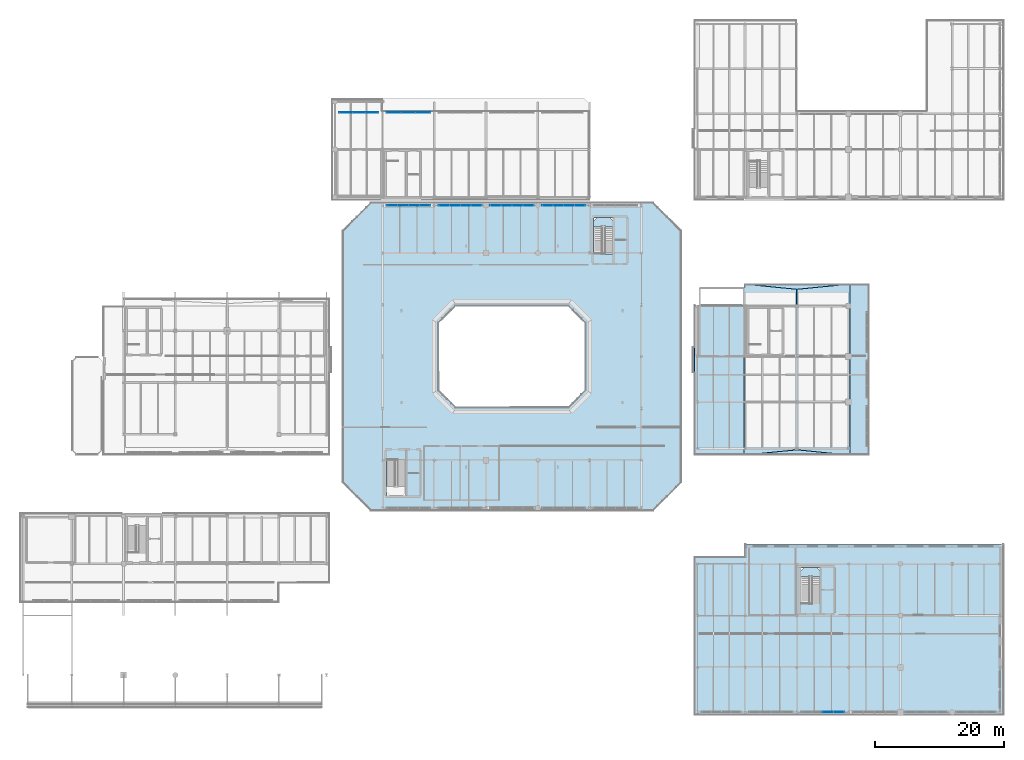
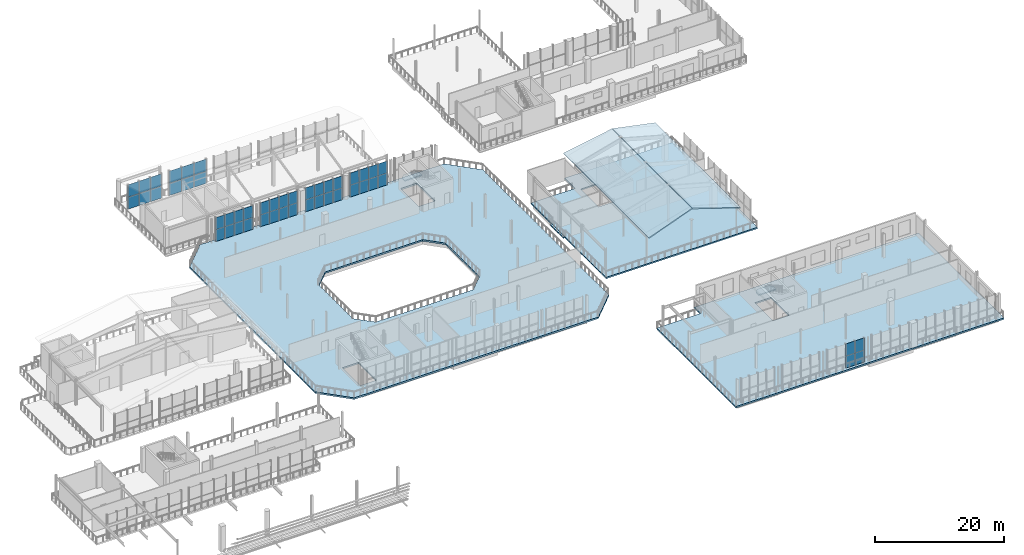
# One storey, part 44 of 70: 48 plates, 8 slabs, 9 elements without a shape of their own.
"""IFC4 building model written with IfcOpenShell, lengths in metres."""

from ifc_helpers import new_model, si_unit, direction, frame, origin, origin_2d, place, context, subcontext, project, spatial, polyline, rectangle, outline, extrude, material, layer, layer_set, type_object, element, aggregate, save


model = new_model("IFC4")

# Units and contexts
model_context = context("Model", 3, precision=1e-05, world=origin(), true_north=direction((0.0, 1.0)))
body_context = subcontext(model_context, "Body", "Model", "MODEL_VIEW")
ifc_project = project(units=[si_unit("LENGTHUNIT", "METRE"), si_unit("AREAUNIT", "SQUARE_METRE"), si_unit("VOLUMEUNIT", "CUBIC_METRE"), si_unit("PLANEANGLEUNIT", "RADIAN"), si_unit("MASSUNIT", "GRAM", prefix="KILO")], contexts=[model_context])

# Site, building, storey
site_placement = place(None, origin())
site = spatial("IfcSite", under=ifc_project, at=site_placement, CompositionType="ELEMENT")
building_placement = place(site_placement, origin())
building = spatial("IfcBuilding", under=site, at=building_placement, Name="Brisemont Oceanarium", CompositionType="ELEMENT")
storey_placement = place(building_placement, frame((0.0, 0.0, 10.199951171875)))
storey = spatial("IfcBuildingStorey", under=building, at=storey_placement, Name="L02", CompositionType="ELEMENT", Elevation=10.199951171875)

# Curtain wall, plates
ifc_material_1 = material(Name="Anodized Extruded Aluminum 6063-T6", Category="aluminium")
curtain_wall_type_1 = type_object("IfcCurtainWallType", Name="CW-CLR-48X34", PredefinedType="NOTDEFINED", material=ifc_material_1)
curtain_wall_1_placement = place(storey_placement, origin())
curtain_wall_1 = element("IfcCurtainWall", 1, at=curtain_wall_1_placement, inside=storey, type_object=curtain_wall_type_1, Name="CW-22 curtain wall CW-V7E-N-L02-01", PredefinedType="NOTDEFINED")
ifc_material_2 = material(Name="Ceramic-Fritted Spandrel Glass", Category="glass")
ifc_layer_1 = layer(ifc_material_2, 0.030029296875)
ifc_layer_set_1 = layer_set([ifc_layer_1], Name="Ceramic-Fritted Spandrel Glass")
plate_type_1 = type_object("IfcPlateType", Name="PLT-CWP-S4", PredefinedType="CURTAIN_PANEL", material=ifc_layer_set_1)
plate_1_placement = place(storey_placement, frame((58.308349609375, 93.699951171875, 0.00146484375), z_axis=(0.0, 0.0, 1.0), x_axis=(1.0, 0.0, 0.0)))
plate_1 = element("IfcPlate", 2, at=plate_1_placement, type_object=plate_type_1, Name="CW-V7E-N-L02-01 panel 1.1", PredefinedType="CURTAIN_PANEL", context=body_context, shape_type="SweptSolid", body=[
    extrude(rectangle(XDim=2.013671875, YDim=0.030029296875, at=origin_2d()), origin(), (0.0, 0.0, 1.0), 2.297119140625),
])
plate_2_placement = place(storey_placement, frame((58.308349609375, 93.699951171875, 2.30126953125), z_axis=(0.0, 0.0, 1.0), x_axis=(1.0, 0.0, 0.0)))
plate_2 = element("IfcPlate", 3, at=plate_2_placement, type_object=plate_type_1, Name="CW-V7E-N-L02-01 panel 1.2", PredefinedType="CURTAIN_PANEL", context=body_context, shape_type="SweptSolid", body=[
    extrude(rectangle(XDim=2.013671875, YDim=0.030029296875, at=origin_2d()), origin(), (0.0, 0.0, 1.0), 2.297119140625),
])
plate_3_placement = place(storey_placement, frame((60.324951171875, 93.699951171875, 0.00146484375), z_axis=(0.0, 0.0, 1.0), x_axis=(1.0, 0.0, 0.0)))
plate_3 = element("IfcPlate", 4, at=plate_3_placement, type_object=plate_type_1, Name="CW-V7E-N-L02-01 panel 2.1", PredefinedType="CURTAIN_PANEL", context=body_context, shape_type="SweptSolid", body=[
    extrude(rectangle(XDim=2.013671875, YDim=0.030029296875, at=origin_2d()), origin(), (0.0, 0.0, 1.0), 2.297119140625),
])
plate_4_placement = place(storey_placement, frame((60.324951171875, 93.699951171875, 2.30126953125), z_axis=(0.0, 0.0, 1.0), x_axis=(1.0, 0.0, 0.0)))
plate_4 = element("IfcPlate", 5, at=plate_4_placement, type_object=plate_type_1, Name="CW-V7E-N-L02-01 panel 2.2", PredefinedType="CURTAIN_PANEL", context=body_context, shape_type="SweptSolid", body=[
    extrude(rectangle(XDim=2.013671875, YDim=0.030029296875, at=origin_2d()), origin(), (0.0, 0.0, 1.0), 2.297119140625),
])
plate_5_placement = place(storey_placement, frame((62.341796875, 93.699951171875, 0.00146484375), z_axis=(0.0, 0.0, 1.0), x_axis=(1.0, 0.0, 0.0)))
plate_5 = element("IfcPlate", 6, at=plate_5_placement, type_object=plate_type_1, Name="CW-V7E-N-L02-01 panel 3.1", PredefinedType="CURTAIN_PANEL", context=body_context, shape_type="SweptSolid", body=[
    extrude(rectangle(XDim=2.013671875, YDim=0.030029296875, at=origin_2d()), origin(), (0.0, 0.0, 1.0), 2.297119140625),
])
plate_6_placement = place(storey_placement, frame((62.341796875, 93.699951171875, 2.30126953125), z_axis=(0.0, 0.0, 1.0), x_axis=(1.0, 0.0, 0.0)))
plate_6 = element("IfcPlate", 7, at=plate_6_placement, type_object=plate_type_1, Name="CW-V7E-N-L02-01 panel 3.2", PredefinedType="CURTAIN_PANEL", context=body_context, shape_type="SweptSolid", body=[
    extrude(rectangle(XDim=2.013671875, YDim=0.030029296875, at=origin_2d()), origin(), (0.0, 0.0, 1.0), 2.297119140625),
])
aggregate(curtain_wall_1, [plate_1, plate_2, plate_3, plate_4, plate_5, plate_6])

curtain_wall_2_placement = place(storey_placement, origin())
curtain_wall_2 = element("IfcCurtainWall", 8, at=curtain_wall_2_placement, inside=storey, type_object=curtain_wall_type_1, Name="CW-22 curtain wall CW-V7E-N-L02-02", PredefinedType="NOTDEFINED")
plate_7_placement = place(storey_placement, frame((65.7666015625, 93.699951171875, 0.00146484375), z_axis=(0.0, 0.0, 1.0), x_axis=(1.0, 0.0, 0.0)))
plate_7 = element("IfcPlate", 9, at=plate_7_placement, type_object=plate_type_1, Name="CW-V7E-N-L02-02 panel 1.1", PredefinedType="CURTAIN_PANEL", context=body_context, shape_type="SweptSolid", body=[
    extrude(rectangle(XDim=2.230224609375, YDim=0.030029296875, at=origin_2d()), origin(), (0.0, 0.0, 1.0), 2.297119140625),
])
plate_8_placement = place(storey_placement, frame((65.7666015625, 93.699951171875, 2.30126953125), z_axis=(0.0, 0.0, 1.0), x_axis=(1.0, 0.0, 0.0)))
plate_8 = element("IfcPlate", 10, at=plate_8_placement, type_object=plate_type_1, Name="CW-V7E-N-L02-02 panel 1.2", PredefinedType="CURTAIN_PANEL", context=body_context, shape_type="SweptSolid", body=[
    extrude(rectangle(XDim=2.230224609375, YDim=0.030029296875, at=origin_2d()), origin(), (0.0, 0.0, 1.0), 2.297119140625),
])
plate_9_placement = place(storey_placement, frame((68.0, 93.699951171875, 0.00146484375), z_axis=(0.0, 0.0, 1.0), x_axis=(1.0, 0.0, 0.0)))
plate_9 = element("IfcPlate", 11, at=plate_9_placement, type_object=plate_type_1, Name="CW-V7E-N-L02-02 panel 2.1", PredefinedType="CURTAIN_PANEL", context=body_context, shape_type="SweptSolid", body=[
    extrude(rectangle(XDim=2.230224609375, YDim=0.030029296875, at=origin_2d()), origin(), (0.0, 0.0, 1.0), 2.297119140625),
])
plate_10_placement = place(storey_placement, frame((68.0, 93.699951171875, 2.30126953125), z_axis=(0.0, 0.0, 1.0), x_axis=(1.0, 0.0, 0.0)))
plate_10 = element("IfcPlate", 12, at=plate_10_placement, type_object=plate_type_1, Name="CW-V7E-N-L02-02 panel 2.2", PredefinedType="CURTAIN_PANEL", context=body_context, shape_type="SweptSolid", body=[
    extrude(rectangle(XDim=2.230224609375, YDim=0.030029296875, at=origin_2d()), origin(), (0.0, 0.0, 1.0), 2.297119140625),
])
plate_11_placement = place(storey_placement, frame((70.2333984375, 93.699951171875, 0.00146484375), z_axis=(0.0, 0.0, 1.0), x_axis=(1.0, 0.0, 0.0)))
plate_11 = element("IfcPlate", 13, at=plate_11_placement, type_object=plate_type_1, Name="CW-V7E-N-L02-02 panel 3.1", PredefinedType="CURTAIN_PANEL", context=body_context, shape_type="SweptSolid", body=[
    extrude(rectangle(XDim=2.230224609375, YDim=0.030029296875, at=origin_2d()), origin(), (0.0, 0.0, 1.0), 2.297119140625),
])
plate_12_placement = place(storey_placement, frame((70.2333984375, 93.699951171875, 2.30126953125), z_axis=(0.0, 0.0, 1.0), x_axis=(1.0, 0.0, 0.0)))
plate_12 = element("IfcPlate", 14, at=plate_12_placement, type_object=plate_type_1, Name="CW-V7E-N-L02-02 panel 3.2", PredefinedType="CURTAIN_PANEL", context=body_context, shape_type="SweptSolid", body=[
    extrude(rectangle(XDim=2.230224609375, YDim=0.030029296875, at=origin_2d()), origin(), (0.0, 0.0, 1.0), 2.297119140625),
])
aggregate(curtain_wall_2, [plate_7, plate_8, plate_9, plate_10, plate_11, plate_12])

ifc_material_3 = material(Name="Anodized Extruded Aluminum 6063-T6", Category="aluminium")
curtain_wall_type_2 = type_object("IfcCurtainWallType", Name="CW-POR-69X44", PredefinedType="NOTDEFINED", material=ifc_material_3)
curtain_wall_3_placement = place(storey_placement, origin())
curtain_wall_3 = element("IfcCurtainWall", 15, at=curtain_wall_3_placement, inside=storey, type_object=curtain_wall_type_2, Name="CW-20 curtain wall CW-V1-N-L02-01", PredefinedType="NOTDEFINED")
ifc_material_4 = material(Name="Insulated Low-E Laminated Glass", Category="glass")
ifc_layer_2 = layer(ifc_material_4, 0.028076171875)
ifc_layer_set_2 = layer_set([ifc_layer_2], Name="Insulated Low-E Laminated Glass")
plate_type_2 = type_object("IfcPlateType", Name="PLT-CWP-V6", PredefinedType="CURTAIN_PANEL", material=ifc_layer_set_2)
plate_13_placement = place(storey_placement, frame((65.487548828125, 79.35009765625, 0.00146484375), z_axis=(0.0, 0.0, 1.0), x_axis=(1.0, 0.0, 0.0)))
plate_13 = element("IfcPlate", 16, at=plate_13_placement, type_object=plate_type_2, Name="CW-V1-N-L02-01 panel 1.1", PredefinedType="CURTAIN_PANEL", context=body_context, shape_type="SweptSolid", body=[
    extrude(rectangle(XDim=1.672119140625, YDim=0.028076171875, at=origin_2d()), origin(), (0.0, 0.0, 1.0), 2.257080078125),
])
plate_14_placement = place(storey_placement, frame((65.487548828125, 79.35009765625, 2.26171875), z_axis=(0.0, 0.0, 1.0), x_axis=(1.0, 0.0, 0.0)))
plate_14 = element("IfcPlate", 17, at=plate_14_placement, type_object=plate_type_2, Name="CW-V1-N-L02-01 panel 1.2", PredefinedType="CURTAIN_PANEL", context=body_context, shape_type="SweptSolid", body=[
    extrude(rectangle(XDim=1.672119140625, YDim=0.028076171875, at=origin_2d()), origin(), (0.0, 0.0, 1.0), 2.257080078125),
])
plate_15_placement = place(storey_placement, frame((67.16259765625, 79.35009765625, 0.00146484375), z_axis=(0.0, 0.0, 1.0), x_axis=(1.0, 0.0, 0.0)))
plate_15 = element("IfcPlate", 18, at=plate_15_placement, type_object=plate_type_2, Name="CW-V1-N-L02-01 panel 2.1", PredefinedType="CURTAIN_PANEL", context=body_context, shape_type="SweptSolid", body=[
    extrude(rectangle(XDim=1.672119140625, YDim=0.028076171875, at=origin_2d()), origin(), (0.0, 0.0, 1.0), 2.257080078125),
])
plate_16_placement = place(storey_placement, frame((67.16259765625, 79.35009765625, 2.26171875), z_axis=(0.0, 0.0, 1.0), x_axis=(1.0, 0.0, 0.0)))
plate_16 = element("IfcPlate", 19, at=plate_16_placement, type_object=plate_type_2, Name="CW-V1-N-L02-01 panel 2.2", PredefinedType="CURTAIN_PANEL", context=body_context, shape_type="SweptSolid", body=[
    extrude(rectangle(XDim=1.672119140625, YDim=0.028076171875, at=origin_2d()), origin(), (0.0, 0.0, 1.0), 2.257080078125),
])
plate_17_placement = place(storey_placement, frame((68.83740234375, 79.35009765625, 0.00146484375), z_axis=(0.0, 0.0, 1.0), x_axis=(1.0, 0.0, 0.0)))
plate_17 = element("IfcPlate", 20, at=plate_17_placement, type_object=plate_type_2, Name="CW-V1-N-L02-01 panel 3.1", PredefinedType="CURTAIN_PANEL", context=body_context, shape_type="SweptSolid", body=[
    extrude(rectangle(XDim=1.672119140625, YDim=0.028076171875, at=origin_2d()), origin(), (0.0, 0.0, 1.0), 2.257080078125),
])
plate_18_placement = place(storey_placement, frame((68.83740234375, 79.35009765625, 2.26171875), z_axis=(0.0, 0.0, 1.0), x_axis=(1.0, 0.0, 0.0)))
plate_18 = element("IfcPlate", 21, at=plate_18_placement, type_object=plate_type_2, Name="CW-V1-N-L02-01 panel 3.2", PredefinedType="CURTAIN_PANEL", context=body_context, shape_type="SweptSolid", body=[
    extrude(rectangle(XDim=1.672119140625, YDim=0.028076171875, at=origin_2d()), origin(), (0.0, 0.0, 1.0), 2.257080078125),
])
plate_19_placement = place(storey_placement, frame((70.512451171875, 79.35009765625, 0.00146484375), z_axis=(0.0, 0.0, 1.0), x_axis=(1.0, 0.0, 0.0)))
plate_19 = element("IfcPlate", 22, at=plate_19_placement, type_object=plate_type_2, Name="CW-V1-N-L02-01 panel 4.1", PredefinedType="CURTAIN_PANEL", context=body_context, shape_type="SweptSolid", body=[
    extrude(rectangle(XDim=1.672119140625, YDim=0.028076171875, at=origin_2d()), origin(), (0.0, 0.0, 1.0), 2.257080078125),
])
plate_20_placement = place(storey_placement, frame((70.512451171875, 79.35009765625, 2.26171875), z_axis=(0.0, 0.0, 1.0), x_axis=(1.0, 0.0, 0.0)))
plate_20 = element("IfcPlate", 23, at=plate_20_placement, type_object=plate_type_2, Name="CW-V1-N-L02-01 panel 4.2", PredefinedType="CURTAIN_PANEL", context=body_context, shape_type="SweptSolid", body=[
    extrude(rectangle(XDim=1.672119140625, YDim=0.028076171875, at=origin_2d()), origin(), (0.0, 0.0, 1.0), 2.257080078125),
])
aggregate(curtain_wall_3, [plate_13, plate_14, plate_15, plate_16, plate_17, plate_18, plate_19, plate_20])

curtain_wall_4_placement = place(storey_placement, origin())
curtain_wall_4 = element("IfcCurtainWall", 24, at=curtain_wall_4_placement, inside=storey, type_object=curtain_wall_type_2, Name="CW-20 curtain wall CW-V1-N-L02-02", PredefinedType="NOTDEFINED")
plate_21_placement = place(storey_placement, frame((73.487548828125, 79.35009765625, 0.00146484375), z_axis=(0.0, 0.0, 1.0), x_axis=(1.0, 0.0, 0.0)))
plate_21 = element("IfcPlate", 25, at=plate_21_placement, type_object=plate_type_2, Name="CW-V1-N-L02-02 panel 1.1", PredefinedType="CURTAIN_PANEL", context=body_context, shape_type="SweptSolid", body=[
    extrude(rectangle(XDim=1.672119140625, YDim=0.028076171875, at=origin_2d()), origin(), (0.0, 0.0, 1.0), 2.257080078125),
])
plate_22_placement = place(storey_placement, frame((73.487548828125, 79.35009765625, 2.26171875), z_axis=(0.0, 0.0, 1.0), x_axis=(1.0, 0.0, 0.0)))
plate_22 = element("IfcPlate", 26, at=plate_22_placement, type_object=plate_type_2, Name="CW-V1-N-L02-02 panel 1.2", PredefinedType="CURTAIN_PANEL", context=body_context, shape_type="SweptSolid", body=[
    extrude(rectangle(XDim=1.672119140625, YDim=0.028076171875, at=origin_2d()), origin(), (0.0, 0.0, 1.0), 2.257080078125),
])
plate_23_placement = place(storey_placement, frame((75.16259765625, 79.35009765625, 0.00146484375), z_axis=(0.0, 0.0, 1.0), x_axis=(1.0, 0.0, 0.0)))
plate_23 = element("IfcPlate", 27, at=plate_23_placement, type_object=plate_type_2, Name="CW-V1-N-L02-02 panel 2.1", PredefinedType="CURTAIN_PANEL", context=body_context, shape_type="SweptSolid", body=[
    extrude(rectangle(XDim=1.672119140625, YDim=0.028076171875, at=origin_2d()), origin(), (0.0, 0.0, 1.0), 2.257080078125),
])
plate_24_placement = place(storey_placement, frame((75.16259765625, 79.35009765625, 2.26171875), z_axis=(0.0, 0.0, 1.0), x_axis=(1.0, 0.0, 0.0)))
plate_24 = element("IfcPlate", 28, at=plate_24_placement, type_object=plate_type_2, Name="CW-V1-N-L02-02 panel 2.2", PredefinedType="CURTAIN_PANEL", context=body_context, shape_type="SweptSolid", body=[
    extrude(rectangle(XDim=1.672119140625, YDim=0.028076171875, at=origin_2d()), origin(), (0.0, 0.0, 1.0), 2.257080078125),
])
plate_25_placement = place(storey_placement, frame((76.83740234375, 79.35009765625, 0.00146484375), z_axis=(0.0, 0.0, 1.0), x_axis=(1.0, 0.0, 0.0)))
plate_25 = element("IfcPlate", 29, at=plate_25_placement, type_object=plate_type_2, Name="CW-V1-N-L02-02 panel 3.1", PredefinedType="CURTAIN_PANEL", context=body_context, shape_type="SweptSolid", body=[
    extrude(rectangle(XDim=1.672119140625, YDim=0.028076171875, at=origin_2d()), origin(), (0.0, 0.0, 1.0), 2.257080078125),
])
plate_26_placement = place(storey_placement, frame((76.83740234375, 79.35009765625, 2.26171875), z_axis=(0.0, 0.0, 1.0), x_axis=(1.0, 0.0, 0.0)))
plate_26 = element("IfcPlate", 30, at=plate_26_placement, type_object=plate_type_2, Name="CW-V1-N-L02-02 panel 3.2", PredefinedType="CURTAIN_PANEL", context=body_context, shape_type="SweptSolid", body=[
    extrude(rectangle(XDim=1.672119140625, YDim=0.028076171875, at=origin_2d()), origin(), (0.0, 0.0, 1.0), 2.257080078125),
])
plate_27_placement = place(storey_placement, frame((78.512451171875, 79.35009765625, 0.00146484375), z_axis=(0.0, 0.0, 1.0), x_axis=(1.0, 0.0, 0.0)))
plate_27 = element("IfcPlate", 31, at=plate_27_placement, type_object=plate_type_2, Name="CW-V1-N-L02-02 panel 4.1", PredefinedType="CURTAIN_PANEL", context=body_context, shape_type="SweptSolid", body=[
    extrude(rectangle(XDim=1.672119140625, YDim=0.028076171875, at=origin_2d()), origin(), (0.0, 0.0, 1.0), 2.257080078125),
])
plate_28_placement = place(storey_placement, frame((78.512451171875, 79.35009765625, 2.26171875), z_axis=(0.0, 0.0, 1.0), x_axis=(1.0, 0.0, 0.0)))
plate_28 = element("IfcPlate", 32, at=plate_28_placement, type_object=plate_type_2, Name="CW-V1-N-L02-02 panel 4.2", PredefinedType="CURTAIN_PANEL", context=body_context, shape_type="SweptSolid", body=[
    extrude(rectangle(XDim=1.672119140625, YDim=0.028076171875, at=origin_2d()), origin(), (0.0, 0.0, 1.0), 2.257080078125),
])
aggregate(curtain_wall_4, [plate_21, plate_22, plate_23, plate_24, plate_25, plate_26, plate_27, plate_28])

curtain_wall_5_placement = place(storey_placement, origin())
curtain_wall_5 = element("IfcCurtainWall", 33, at=curtain_wall_5_placement, inside=storey, type_object=curtain_wall_type_2, Name="CW-20 curtain wall CW-V1-N-L02-03", PredefinedType="NOTDEFINED")
plate_29_placement = place(storey_placement, frame((81.487548828125, 79.35009765625, 0.00146484375), z_axis=(0.0, 0.0, 1.0), x_axis=(1.0, 0.0, 0.0)))
plate_29 = element("IfcPlate", 34, at=plate_29_placement, type_object=plate_type_2, Name="CW-V1-N-L02-03 panel 1.1", PredefinedType="CURTAIN_PANEL", context=body_context, shape_type="SweptSolid", body=[
    extrude(rectangle(XDim=1.672119140625, YDim=0.028076171875, at=origin_2d()), origin(), (0.0, 0.0, 1.0), 2.257080078125),
])
plate_30_placement = place(storey_placement, frame((81.487548828125, 79.35009765625, 2.26171875), z_axis=(0.0, 0.0, 1.0), x_axis=(1.0, 0.0, 0.0)))
plate_30 = element("IfcPlate", 35, at=plate_30_placement, type_object=plate_type_2, Name="CW-V1-N-L02-03 panel 1.2", PredefinedType="CURTAIN_PANEL", context=body_context, shape_type="SweptSolid", body=[
    extrude(rectangle(XDim=1.672119140625, YDim=0.028076171875, at=origin_2d()), origin(), (0.0, 0.0, 1.0), 2.257080078125),
])
plate_31_placement = place(storey_placement, frame((83.16259765625, 79.35009765625, 0.00146484375), z_axis=(0.0, 0.0, 1.0), x_axis=(1.0, 0.0, 0.0)))
plate_31 = element("IfcPlate", 36, at=plate_31_placement, type_object=plate_type_2, Name="CW-V1-N-L02-03 panel 2.1", PredefinedType="CURTAIN_PANEL", context=body_context, shape_type="SweptSolid", body=[
    extrude(rectangle(XDim=1.672119140625, YDim=0.028076171875, at=origin_2d()), origin(), (0.0, 0.0, 1.0), 2.257080078125),
])
plate_32_placement = place(storey_placement, frame((83.16259765625, 79.35009765625, 2.26171875), z_axis=(0.0, 0.0, 1.0), x_axis=(1.0, 0.0, 0.0)))
plate_32 = element("IfcPlate", 37, at=plate_32_placement, type_object=plate_type_2, Name="CW-V1-N-L02-03 panel 2.2", PredefinedType="CURTAIN_PANEL", context=body_context, shape_type="SweptSolid", body=[
    extrude(rectangle(XDim=1.672119140625, YDim=0.028076171875, at=origin_2d()), origin(), (0.0, 0.0, 1.0), 2.257080078125),
])
plate_33_placement = place(storey_placement, frame((84.83740234375, 79.35009765625, 0.00146484375), z_axis=(0.0, 0.0, 1.0), x_axis=(1.0, 0.0, 0.0)))
plate_33 = element("IfcPlate", 38, at=plate_33_placement, type_object=plate_type_2, Name="CW-V1-N-L02-03 panel 3.1", PredefinedType="CURTAIN_PANEL", context=body_context, shape_type="SweptSolid", body=[
    extrude(rectangle(XDim=1.672119140625, YDim=0.028076171875, at=origin_2d()), origin(), (0.0, 0.0, 1.0), 2.257080078125),
])
plate_34_placement = place(storey_placement, frame((84.83740234375, 79.35009765625, 2.26171875), z_axis=(0.0, 0.0, 1.0), x_axis=(1.0, 0.0, 0.0)))
plate_34 = element("IfcPlate", 39, at=plate_34_placement, type_object=plate_type_2, Name="CW-V1-N-L02-03 panel 3.2", PredefinedType="CURTAIN_PANEL", context=body_context, shape_type="SweptSolid", body=[
    extrude(rectangle(XDim=1.672119140625, YDim=0.028076171875, at=origin_2d()), origin(), (0.0, 0.0, 1.0), 2.257080078125),
])
plate_35_placement = place(storey_placement, frame((86.512451171875, 79.35009765625, 0.00146484375), z_axis=(0.0, 0.0, 1.0), x_axis=(1.0, 0.0, 0.0)))
plate_35 = element("IfcPlate", 40, at=plate_35_placement, type_object=plate_type_2, Name="CW-V1-N-L02-03 panel 4.1", PredefinedType="CURTAIN_PANEL", context=body_context, shape_type="SweptSolid", body=[
    extrude(rectangle(XDim=1.672119140625, YDim=0.028076171875, at=origin_2d()), origin(), (0.0, 0.0, 1.0), 2.257080078125),
])
plate_36_placement = place(storey_placement, frame((86.512451171875, 79.35009765625, 2.26171875), z_axis=(0.0, 0.0, 1.0), x_axis=(1.0, 0.0, 0.0)))
plate_36 = element("IfcPlate", 41, at=plate_36_placement, type_object=plate_type_2, Name="CW-V1-N-L02-03 panel 4.2", PredefinedType="CURTAIN_PANEL", context=body_context, shape_type="SweptSolid", body=[
    extrude(rectangle(XDim=1.672119140625, YDim=0.028076171875, at=origin_2d()), origin(), (0.0, 0.0, 1.0), 2.257080078125),
])
aggregate(curtain_wall_5, [plate_29, plate_30, plate_31, plate_32, plate_33, plate_34, plate_35, plate_36])

curtain_wall_6_placement = place(storey_placement, origin())
curtain_wall_6 = element("IfcCurtainWall", 42, at=curtain_wall_6_placement, inside=storey, type_object=curtain_wall_type_2, Name="CW-20 curtain wall CW-V1-N-L02-04", PredefinedType="NOTDEFINED")
plate_37_placement = place(storey_placement, frame((89.487548828125, 79.35009765625, 0.00146484375), z_axis=(0.0, 0.0, 1.0), x_axis=(1.0, 0.0, 0.0)))
plate_37 = element("IfcPlate", 43, at=plate_37_placement, type_object=plate_type_2, Name="CW-V1-N-L02-04 panel 1.1", PredefinedType="CURTAIN_PANEL", context=body_context, shape_type="SweptSolid", body=[
    extrude(rectangle(XDim=1.672119140625, YDim=0.028076171875, at=origin_2d()), origin(), (0.0, 0.0, 1.0), 2.257080078125),
])
plate_38_placement = place(storey_placement, frame((89.487548828125, 79.35009765625, 2.26171875), z_axis=(0.0, 0.0, 1.0), x_axis=(1.0, 0.0, 0.0)))
plate_38 = element("IfcPlate", 44, at=plate_38_placement, type_object=plate_type_2, Name="CW-V1-N-L02-04 panel 1.2", PredefinedType="CURTAIN_PANEL", context=body_context, shape_type="SweptSolid", body=[
    extrude(rectangle(XDim=1.672119140625, YDim=0.028076171875, at=origin_2d()), origin(), (0.0, 0.0, 1.0), 2.257080078125),
])
plate_39_placement = place(storey_placement, frame((91.16259765625, 79.35009765625, 0.00146484375), z_axis=(0.0, 0.0, 1.0), x_axis=(1.0, 0.0, 0.0)))
plate_39 = element("IfcPlate", 45, at=plate_39_placement, type_object=plate_type_2, Name="CW-V1-N-L02-04 panel 2.1", PredefinedType="CURTAIN_PANEL", context=body_context, shape_type="SweptSolid", body=[
    extrude(rectangle(XDim=1.672119140625, YDim=0.028076171875, at=origin_2d()), origin(), (0.0, 0.0, 1.0), 2.257080078125),
])
plate_40_placement = place(storey_placement, frame((91.16259765625, 79.35009765625, 2.26171875), z_axis=(0.0, 0.0, 1.0), x_axis=(1.0, 0.0, 0.0)))
plate_40 = element("IfcPlate", 46, at=plate_40_placement, type_object=plate_type_2, Name="CW-V1-N-L02-04 panel 2.2", PredefinedType="CURTAIN_PANEL", context=body_context, shape_type="SweptSolid", body=[
    extrude(rectangle(XDim=1.672119140625, YDim=0.028076171875, at=origin_2d()), origin(), (0.0, 0.0, 1.0), 2.257080078125),
])
plate_41_placement = place(storey_placement, frame((92.83740234375, 79.35009765625, 0.00146484375), z_axis=(0.0, 0.0, 1.0), x_axis=(1.0, 0.0, 0.0)))
plate_41 = element("IfcPlate", 47, at=plate_41_placement, type_object=plate_type_2, Name="CW-V1-N-L02-04 panel 3.1", PredefinedType="CURTAIN_PANEL", context=body_context, shape_type="SweptSolid", body=[
    extrude(rectangle(XDim=1.672119140625, YDim=0.028076171875, at=origin_2d()), origin(), (0.0, 0.0, 1.0), 2.257080078125),
])
plate_42_placement = place(storey_placement, frame((92.83740234375, 79.35009765625, 2.26171875), z_axis=(0.0, 0.0, 1.0), x_axis=(1.0, 0.0, 0.0)))
plate_42 = element("IfcPlate", 48, at=plate_42_placement, type_object=plate_type_2, Name="CW-V1-N-L02-04 panel 3.2", PredefinedType="CURTAIN_PANEL", context=body_context, shape_type="SweptSolid", body=[
    extrude(rectangle(XDim=1.672119140625, YDim=0.028076171875, at=origin_2d()), origin(), (0.0, 0.0, 1.0), 2.257080078125),
])
plate_43_placement = place(storey_placement, frame((94.512451171875, 79.35009765625, 0.00146484375), z_axis=(0.0, 0.0, 1.0), x_axis=(1.0, 0.0, 0.0)))
plate_43 = element("IfcPlate", 49, at=plate_43_placement, type_object=plate_type_2, Name="CW-V1-N-L02-04 panel 4.1", PredefinedType="CURTAIN_PANEL", context=body_context, shape_type="SweptSolid", body=[
    extrude(rectangle(XDim=1.672119140625, YDim=0.028076171875, at=origin_2d()), origin(), (0.0, 0.0, 1.0), 2.257080078125),
])
plate_44_placement = place(storey_placement, frame((94.512451171875, 79.35009765625, 2.26171875), z_axis=(0.0, 0.0, 1.0), x_axis=(1.0, 0.0, 0.0)))
plate_44 = element("IfcPlate", 50, at=plate_44_placement, type_object=plate_type_2, Name="CW-V1-N-L02-04 panel 4.2", PredefinedType="CURTAIN_PANEL", context=body_context, shape_type="SweptSolid", body=[
    extrude(rectangle(XDim=1.672119140625, YDim=0.028076171875, at=origin_2d()), origin(), (0.0, 0.0, 1.0), 2.257080078125),
])
aggregate(curtain_wall_6, [plate_37, plate_38, plate_39, plate_40, plate_41, plate_42, plate_43, plate_44])

ifc_material_5 = material(Name="Anodized Extruded Aluminum 6063-T6", Category="aluminium")
curtain_wall_type_3 = type_object("IfcCurtainWallType", Name="CW-EDU-69X43", PredefinedType="NOTDEFINED", material=ifc_material_5)
curtain_wall_7_placement = place(storey_placement, origin())
curtain_wall_7 = element("IfcCurtainWall", 51, at=curtain_wall_7_placement, inside=storey, type_object=curtain_wall_type_3, Name="CW-09 curtain wall CW-V3-S-L02-03", PredefinedType="NOTDEFINED")
ifc_material_6 = material(Name="Insulated Low-E Laminated Glass", Category="glass")
ifc_layer_3 = layer(ifc_material_6, 0.02587890625)
ifc_layer_set_3 = layer_set([ifc_layer_3], Name="Insulated Low-E Laminated Glass")
plate_type_3 = type_object("IfcPlateType", Name="PLT-CWP-V9", PredefinedType="CURTAIN_PANEL", material=ifc_layer_set_3)
plate_45_placement = place(storey_placement, frame((132.83740234375, 1.10009765625, 0.00146484375), z_axis=(0.0, 0.0, 1.0), x_axis=(1.0, 0.0, 0.0)))
plate_45 = element("IfcPlate", 52, at=plate_45_placement, type_object=plate_type_3, Name="CW-V3-S-L02-03 panel 3.1", PredefinedType="CURTAIN_PANEL", context=body_context, shape_type="SweptSolid", body=[
    extrude(rectangle(XDim=1.672119140625, YDim=0.02587890625, at=origin_2d()), origin(), (0.0, 0.0, 1.0), 2.277099609375),
])
plate_46_placement = place(storey_placement, frame((132.83740234375, 1.10009765625, 2.28173828125), z_axis=(0.0, 0.0, 1.0), x_axis=(1.0, 0.0, 0.0)))
plate_46 = element("IfcPlate", 53, at=plate_46_placement, type_object=plate_type_3, Name="CW-V3-S-L02-03 panel 3.2", PredefinedType="CURTAIN_PANEL", context=body_context, shape_type="SweptSolid", body=[
    extrude(rectangle(XDim=1.672119140625, YDim=0.02587890625, at=origin_2d()), origin(), (0.0, 0.0, 1.0), 2.277099609375),
])
plate_47_placement = place(storey_placement, frame((134.512451171875, 1.10009765625, 0.00146484375), z_axis=(0.0, 0.0, 1.0), x_axis=(1.0, 0.0, 0.0)))
plate_47 = element("IfcPlate", 54, at=plate_47_placement, type_object=plate_type_3, Name="CW-V3-S-L02-03 panel 4.1", PredefinedType="CURTAIN_PANEL", context=body_context, shape_type="SweptSolid", body=[
    extrude(rectangle(XDim=1.672119140625, YDim=0.02587890625, at=origin_2d()), origin(), (0.0, 0.0, 1.0), 2.277099609375),
])
plate_48_placement = place(storey_placement, frame((134.512451171875, 1.10009765625, 2.28173828125), z_axis=(0.0, 0.0, 1.0), x_axis=(1.0, 0.0, 0.0)))
plate_48 = element("IfcPlate", 55, at=plate_48_placement, type_object=plate_type_3, Name="CW-V3-S-L02-03 panel 4.2", PredefinedType="CURTAIN_PANEL", context=body_context, shape_type="SweptSolid", body=[
    extrude(rectangle(XDim=1.672119140625, YDim=0.02587890625, at=origin_2d()), origin(), (0.0, 0.0, 1.0), 2.277099609375),
])
aggregate(curtain_wall_7, [plate_45, plate_46, plate_47, plate_48])

# Slabs
ifc_material_7 = material(Name="Concrete C35/45", Category="concrete")
ifc_layer_4 = layer(ifc_material_7, 0.239990234375)
ifc_layer_set_4 = layer_set([ifc_layer_4], Name="Concrete C35/45")
slab_type_1 = type_object("IfcSlabType", Name="SLB-FLR-240", PredefinedType="FLOOR", material=ifc_layer_set_4)
slab_1_placement = place(storey_placement, frame((0.0, 0.0, -0.239990234375)))
element("IfcSlab", 56, at=slab_1_placement, inside=storey, type_object=slab_type_1, Name="SB_SB-05 L02 floor slab", PredefinedType="FLOOR", context=body_context, shape_type="SweptSolid", body=[
    extrude(outline(polyline([(111.889892578125, 53.5), (112.110107421875, 53.5), (112.14990234375, 53.5400390625), (112.14990234375, 57.4599609375), (112.110107421875, 57.5), (111.889892578125, 57.5), (111.85009765625, 57.4599609375), (111.85009765625, 53.5400390625), (111.889892578125, 53.5)])), origin(), (0.0, 0.0, 1.0), 0.239990234375),
])
ifc_material_8 = material(Name="Concrete C35/45", Category="concrete")
ifc_layer_5 = layer(ifc_material_8, 0.260009765625)
ifc_layer_set_5 = layer_set([ifc_layer_5], Name="Concrete C35/45")
slab_type_2 = type_object("IfcSlabType", Name="SLB-FLR-260", PredefinedType="FLOOR", material=ifc_layer_set_5)
slab_2_placement = place(storey_placement, frame((0.0, 0.0, -0.260009765625)))
element("IfcSlab", 57, at=slab_2_placement, inside=storey, type_object=slab_type_2, Name="V5E L02 floor slab", PredefinedType="FLOOR", context=body_context, shape_type="SweptSolid", body=[
    extrude(outline(polyline([(112.14990234375, 40.800048828125), (139.199951171875, 40.800048828125), (139.199951171875, 67.199951171875), (120.0, 67.199951171875), (120.0, 64.0), (112.14990234375, 64.0), (112.14990234375, 40.800048828125)]), holes=[polyline([(120.669921875, 57.840087890625), (123.570068359375, 57.840087890625), (123.570068359375, 63.3798828125), (120.669921875, 63.3798828125), (120.669921875, 57.840087890625)])]), origin(), (0.0, 0.0, 1.0), 0.260009765625),
])
ifc_material_9 = material(Name="Concrete C35/45", Category="concrete")
ifc_layer_6 = layer(ifc_material_9, 0.280029296875)
ifc_layer_set_6 = layer_set([ifc_layer_6], Name="Concrete C35/45")
slab_type_3 = type_object("IfcSlabType", Name="SLB-FLR-280", PredefinedType="FLOOR", material=ifc_layer_set_6)
slab_3_placement = place(storey_placement, frame((0.0, 0.0, -0.280029296875)))
element("IfcSlab", 58, at=slab_3_placement, inside=storey, type_object=slab_type_3, Name="V3 L02 floor slab", PredefinedType="FLOOR", context=body_context, shape_type="SweptSolid", body=[
    extrude(outline(polyline([(112.14990234375, 0.60009765625), (160.0, 0.60009765625), (160.0, 27.050048828125), (120.0, 27.050048828125), (120.0, 25.10009765625), (112.14990234375, 25.10009765625), (112.14990234375, 0.60009765625)]), holes=[polyline([(128.669921875, 17.840087890625), (131.570068359375, 17.840087890625), (131.570068359375, 23.3798828125), (128.669921875, 23.3798828125), (128.669921875, 17.840087890625)])]), origin(), (0.0, 0.0, 1.0), 0.280029296875),
])
ifc_material_10 = material(Name="Concrete C35/45", Category="concrete")
ifc_layer_7 = layer(ifc_material_10, 0.300048828125)
ifc_layer_set_7 = layer_set([ifc_layer_7], Name="Concrete C35/45")
slab_type_4 = type_object("IfcSlabType", Name="SLB-FLR-300", PredefinedType="FLOOR", material=ifc_layer_set_7)
slab_4_placement = place(storey_placement, frame((0.0, 0.0, -0.300048828125)))
element("IfcSlab", 59, at=slab_4_placement, inside=storey, type_object=slab_type_4, Name="V1 L02 floor slab", PredefinedType="FLOOR", context=body_context, shape_type="SweptSolid", body=[
    extrude(outline(polyline([(62.199951171875, 32.14990234375), (105.800048828125, 32.14990234375), (110.199951171875, 36.550048828125), (110.199951171875, 75.449951171875), (105.800048828125, 79.85009765625), (62.199951171875, 79.85009765625), (57.800048828125, 75.449951171875), (57.800048828125, 36.550048828125), (62.199951171875, 32.14990234375)]), holes=[polyline([(75.300048828125, 48.199951171875), (92.699951171875, 48.199951171875), (95.300048828125, 50.800048828125), (95.300048828125, 61.199951171875), (92.699951171875, 63.800048828125), (75.300048828125, 63.800048828125), (72.699951171875, 61.199951171875), (72.699951171875, 50.800048828125), (75.300048828125, 48.199951171875)]), polyline([(64.669921875, 34.570068359375), (67.570068359375, 34.570068359375), (67.570068359375, 40.110107421875), (64.669921875, 40.110107421875), (64.669921875, 34.570068359375)]), polyline([(96.669921875, 71.889892578125), (99.570068359375, 71.889892578125), (99.570068359375, 77.429931640625), (96.669921875, 77.429931640625), (96.669921875, 71.889892578125)])]), origin(), (0.0, 0.0, 1.0), 0.300048828125),
])

# Stair, slab
ifc_material_11 = material(Name="Concrete C40/50", Category="concrete")
stair_type = type_object("IfcStairType", Name="STR-CORE-124-48", PredefinedType="HALF_TURN_STAIR", material=ifc_material_11)
stair_1_placement = place(storey_placement, origin())
stair_1 = element("IfcStair", 60, at=stair_1_placement, inside=storey, type_object=stair_type, Name="Exit stair ST-02 L02 to L03", PredefinedType="HALF_TURN_STAIR")
ifc_material_12 = material(Name="Concrete C40/50", Category="concrete")
ifc_layer_8 = layer(ifc_material_12, 0.219970703125)
ifc_layer_set_8 = layer_set([ifc_layer_8], Name="Concrete C40/50")
slab_type_5 = type_object("IfcSlabType", Name="SLB-LANDING-220", PredefinedType="LANDING", material=ifc_layer_set_8)
slab_5_placement = place(storey_placement, frame((0.0, 0.0, 2.179931640625)))
slab_5 = element("IfcSlab", 61, at=slab_5_placement, type_object=slab_type_5, Name="ST-02 L02 half-landing", PredefinedType="LANDING", context=body_context, shape_type="SweptSolid", body=[
    extrude(outline(polyline([(96.570068359375, 76.0400390625), (99.64990234375, 76.0400390625), (99.64990234375, 76.919921875), (99.10009765625, 77.469970703125), (97.1201171875, 77.469970703125), (96.570068359375, 76.919921875), (96.570068359375, 76.0400390625)])), origin(), (0.0, 0.0, 1.0), 0.22021484375),
])
aggregate(stair_1, [slab_5])

stair_2_placement = place(storey_placement, origin())
stair_2 = element("IfcStair", 62, at=stair_2_placement, inside=storey, type_object=stair_type, Name="Exit stair ST-04 L02 to L03", PredefinedType="HALF_TURN_STAIR")
slab_6_placement = place(storey_placement, frame((0.0, 0.0, 2.179931640625)))
slab_6 = element("IfcSlab", 63, at=slab_6_placement, type_object=slab_type_5, Name="ST-04 L02 half-landing", PredefinedType="LANDING", context=body_context, shape_type="SweptSolid", body=[
    extrude(outline(polyline([(128.570068359375, 21.989990234375), (131.64990234375, 21.989990234375), (131.64990234375, 22.8701171875), (131.10009765625, 23.419921875), (129.1201171875, 23.419921875), (128.570068359375, 22.8701171875), (128.570068359375, 21.989990234375)])), origin(), (0.0, 0.0, 1.0), 0.22021484375),
])
aggregate(stair_2, [slab_6])

# Slabs
ifc_material_13 = material(Name="Concrete C35/45", Category="concrete")
ifc_layer_9 = layer(ifc_material_13, 0.199951171875)
ifc_layer_set_9 = layer_set([ifc_layer_9], Name="Concrete C35/45")
slab_type_6 = type_object("IfcSlabType", Name="SLB-RF-200", PredefinedType="ROOF", material=ifc_layer_set_9)
slab_7_placement = place(storey_placement, frame((119.800048828125, 40.800048828125, 4.800048828125), z_axis=(-0.262516411158, 0.0, 0.964927527783), x_axis=(0.960637969055, 0.094186955827, 0.261349401688)))
element("IfcSlab", 64, at=slab_7_placement, inside=storey, type_object=slab_type_6, Name="V5E pitched roof W slope", PredefinedType="ROOF", context=body_context, shape_type="SweptSolid", body=[
    extrude(outline(polyline([(0.0, 0.0), (8.494263575074784, -1.1102230246251565e-16), (10.830081683684462, 24.68955783933034), (2.48652643587713, 26.282542305553726), (0.0, 0.0)])), origin(), (0.0, 0.0, -1.0), 0.199951171875),
])
slab_8_placement = place(storey_placement, frame((128.0400390625, 41.60009765625, 7.02001953125), z_axis=(0.262516411158, 0.0, 0.964927527783), x_axis=(0.960637969055, -0.094186955827, -0.261349401688)))
element("IfcSlab", 65, at=slab_8_placement, inside=storey, type_object=slab_type_6, Name="V5E pitched roof E slope", PredefinedType="ROOF", context=body_context, shape_type="SweptSolid", body=[
    extrude(outline(polyline([(0.0, 0.0), (8.494263575074784, 1.1102230246251565e-16), (6.007737139197655, 26.282542305553726), (-2.3358181086096774, 24.689557839330345), (0.0, 0.0)])), origin(), (0.0, 0.0, -1.0), 0.199951171875),
])

save(model, "model.ifc")
